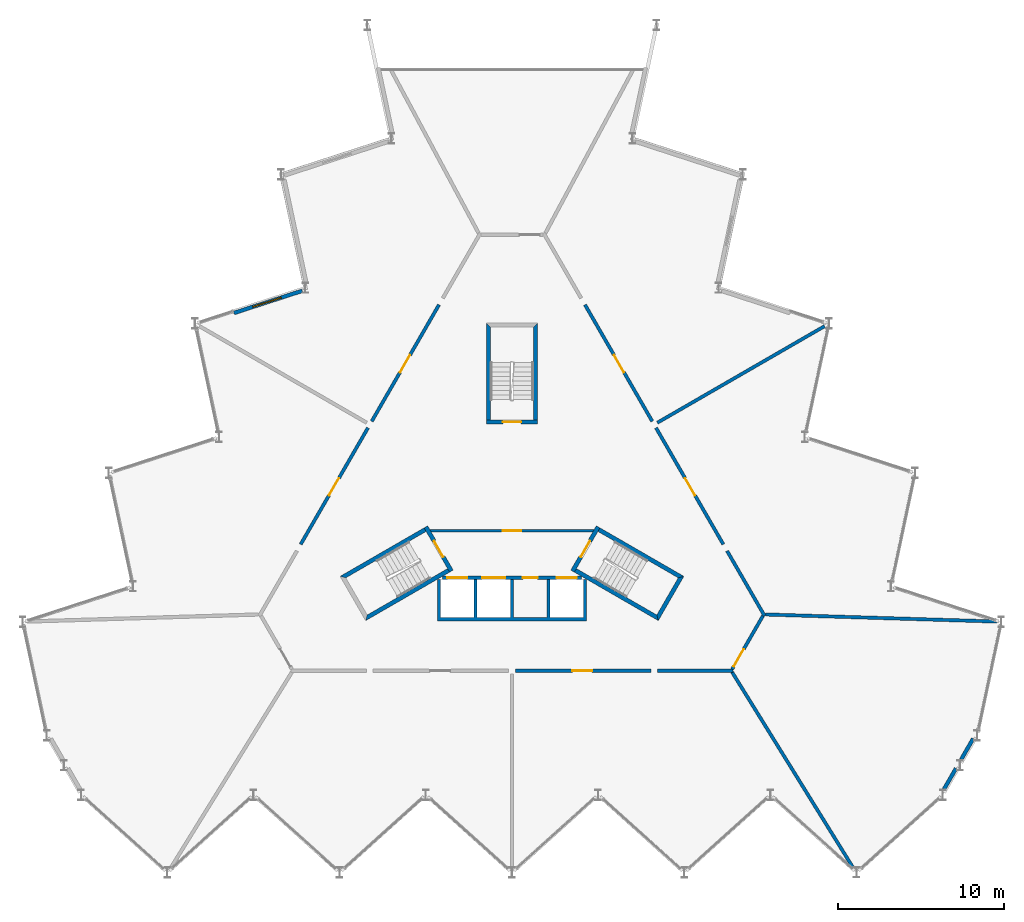
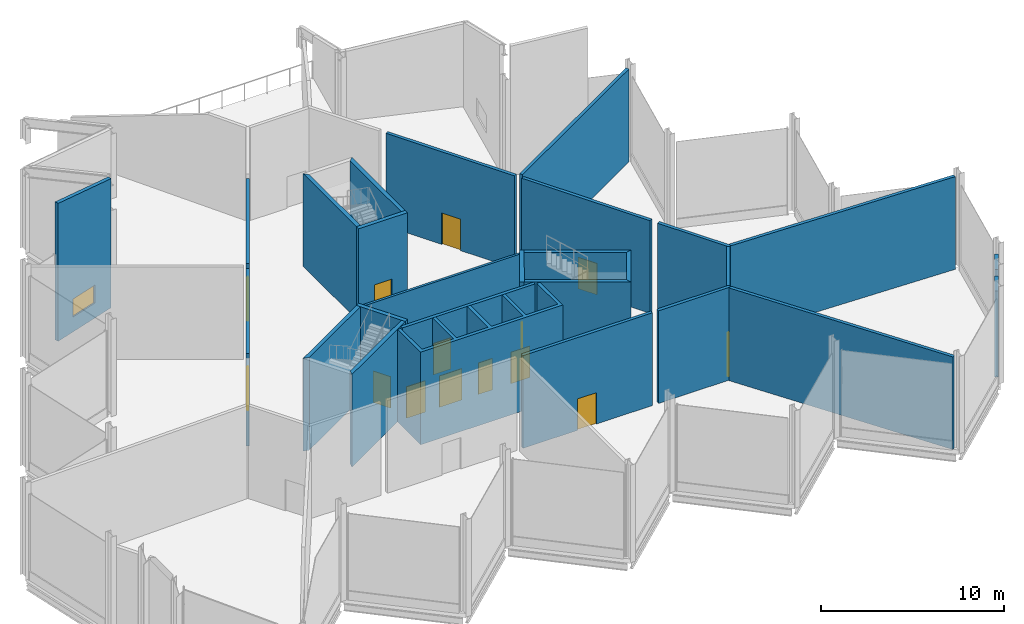
# One storey, part 10 of 12: 27 walls, 14 doors, 1 window, 15 openings.
"""IFC4 building model written with IfcOpenShell, lengths in metres."""

import ifcopenshell
import ifcopenshell.guid

model = None  # the IFC model being written
_history = None  # IfcOwnerHistory: only IFC2X3 demands one
_inside = {}  # id of a spatial element -> (the spatial element, [elements in it])
_under = {}  # id of a project, library or spatial element -> (it, [spatial elements below it])
_declared = {}  # id of a project -> (the project, [libraries it declares])
_typed = {}  # id of a type object -> (the type object, [elements of that type])
_made_of = {}  # id of a material, layer set ... -> (it, [elements and type objects made of it])


def new_model(schema):
    """Start an empty IFC model of exactly this schema.

    Asked for "IFC4X3", IfcOpenShell would pick the latest addendum, in which some entities
    have other attributes; the version numbers below select the first issue.
    IFC2X3 requires an IfcOwnerHistory on every rooted entity: one is made here for all.
    """
    global model, _history
    if schema == "IFC4X3":
        model = ifcopenshell.file(schema_version=(4, 3, 0, 0))
    else:
        model = ifcopenshell.file(schema=schema)
    _inside.clear()
    _under.clear()
    _declared.clear()
    _typed.clear()
    _made_of.clear()
    _history = None
    if model.schema == "IFC2X3":
        org = make("IfcOrganization", Name="unknown")
        user = make(
            "IfcPersonAndOrganization",
            ThePerson=make("IfcPerson", FamilyName="unknown"),
            TheOrganization=org,
        )
        app = make(
            "IfcApplication",
            ApplicationDeveloper=org,
            Version="unknown",
            ApplicationFullName="unknown",
            ApplicationIdentifier="unknown",
        )
        _history = make(
            "IfcOwnerHistory",
            OwningUser=user,
            OwningApplication=app,
            ChangeAction="ADDED",
            CreationDate=0,
        )
    return model


def make(cls, **values):
    """One entity of the class cls with the attributes given. An attribute that is None is left unset."""
    return model.create_entity(
        cls, **{name: value for name, value in values.items() if value is not None}
    )


def rooted(cls, **values):
    """An entity with a GlobalId (a new one), such as an element, a storey or a relation."""
    return make(cls, GlobalId=ifcopenshell.guid.new(), OwnerHistory=_history, **values)


def si_unit(unit_type, name, prefix=None):
    """IfcSIUnit, for example si_unit("LENGTHUNIT", "METRE", prefix="MILLI")."""
    return make("IfcSIUnit", UnitType=unit_type, Prefix=prefix, Name=name)


def assignment(units):
    """IfcUnitAssignment: the units of a project."""
    return None if units is None else make("IfcUnitAssignment", Units=units)


def point(xyz):
    """IfcCartesianPoint."""
    return None if xyz is None else make("IfcCartesianPoint", Coordinates=xyz)


def direction(xyz):
    """IfcDirection."""
    return None if xyz is None else make("IfcDirection", DirectionRatios=xyz)


def frame(location, z_axis=None, x_axis=None):
    """IfcAxis2Placement3D, a coordinate frame: its origin and axes. An axis left out is left unset."""
    return make(
        "IfcAxis2Placement3D",
        Location=point(location),
        Axis=direction(z_axis),
        RefDirection=direction(x_axis),
    )


def frame_2d(location, x_axis=None):
    """IfcAxis2Placement2D, a coordinate frame in the plane: its origin and x axis."""
    return make(
        "IfcAxis2Placement2D", Location=point(location), RefDirection=direction(x_axis)
    )


def origin():
    """The frame at (0, 0, 0) with its axes left unset."""
    return frame((0.0, 0.0, 0.0))


def place(relative_to, where):
    """IfcLocalPlacement: puts the frame where relative to a parent placement (None: the world)."""
    return make(
        "IfcLocalPlacement", PlacementRelTo=relative_to, RelativePlacement=where
    )


def context(
    kind, dimensions, precision=None, world=None, true_north=None, identifier=None
):
    """IfcGeometricRepresentationContext, for example the 3D "Model" context."""
    return make(
        "IfcGeometricRepresentationContext",
        ContextIdentifier=identifier,
        ContextType=kind,
        CoordinateSpaceDimension=dimensions,
        Precision=precision,
        WorldCoordinateSystem=world,
        TrueNorth=true_north,
    )


def subcontext(parent, identifier, kind, view, scale=None):
    """IfcGeometricRepresentationSubContext, for example "Body" below "Model"."""
    return make(
        "IfcGeometricRepresentationSubContext",
        ContextIdentifier=identifier,
        ContextType=kind,
        ParentContext=parent,
        TargetScale=scale,
        TargetView=view,
    )


def project(units=None, contexts=None):
    """IfcProject with its units and contexts."""
    return rooted(
        "IfcProject",
        Name="project",
        RepresentationContexts=contexts,
        UnitsInContext=assignment(units),
    )


def spatial(cls, under=None, at=None, **own):
    """A site, building, storey or space (cls), placed at a placement, below another one or the project."""
    s = rooted(cls, ObjectPlacement=at, **own)
    if under is not None:
        _under.setdefault(under.id(), (under, []))[1].append(s)
    return s


def polyline(points):
    """IfcPolyline through the points."""
    return make("IfcPolyline", Points=[point(p) for p in points])


def profile(cls, at=None, kind="AREA", **sizes):
    """A parametric profile (cls). Its sizes go by their IFC names, for example OverallWidth=200.0."""
    return make(cls, ProfileType=kind, Position=at, **sizes)


def rectangle(**sizes):
    """IfcRectangleProfileDef."""
    return profile("IfcRectangleProfileDef", **sizes)


def outline(outer, holes=None, kind="AREA"):
    """IfcArbitraryClosedProfileDef: a profile drawn as a closed curve; with holes, ...WithVoids."""
    if holes is None:
        return make("IfcArbitraryClosedProfileDef", ProfileType=kind, OuterCurve=outer)
    return make(
        "IfcArbitraryProfileDefWithVoids",
        ProfileType=kind,
        OuterCurve=outer,
        InnerCurves=holes,
    )


def extrude(swept, where, along, depth):
    """IfcExtrudedAreaSolid: the profile swept, set in the frame where, extruded along a direction by depth."""
    return make(
        "IfcExtrudedAreaSolid",
        SweptArea=swept,
        Position=where,
        ExtrudedDirection=direction(along),
        Depth=depth,
    )


def shape(context_of_items, identifier, shape_type, items):
    """IfcShapeRepresentation: the items that make up one representation, for example the "Body"."""
    return make(
        "IfcShapeRepresentation",
        ContextOfItems=context_of_items,
        RepresentationIdentifier=identifier,
        RepresentationType=shape_type,
        Items=items,
    )


def material(Name=None, Category=None):
    """IfcMaterial."""
    return make("IfcMaterial", Name=Name, Category=Category)


def layer(
    of_material, thickness, ventilated=None, Name=None, Category=None, Priority=None
):
    """IfcMaterialLayer: one layer of a wall or slab, of a material (None: an air gap)."""
    return make(
        "IfcMaterialLayer",
        Material=of_material,
        LayerThickness=thickness,
        IsVentilated=ventilated,
        Name=Name,
        Category=Category,
        Priority=Priority,
    )


def layer_set(layers, Name=None):
    """IfcMaterialLayerSet."""
    return make("IfcMaterialLayerSet", MaterialLayers=layers, LayerSetName=Name)


def made_of(thing, what):
    """Note that an element or type object is made of a material, layer set ...; save() writes the relation."""
    if what is not None:
        _made_of.setdefault(what.id(), (what, []))[1].append(thing)
    return thing


def type_object(cls, material=None, **own):
    """A type object (cls), such as IfcWallType, which elements share."""
    return made_of(rooted(cls, **own), material)


def element(
    cls,
    number,
    at=None,
    inside=None,
    cuts=None,
    type_object=None,
    material=None,
    context=None,
    identifier="Body",
    shape_type=None,
    held_by="IfcProductDefinitionShape",
    body=None,
    shapes=None,
    **own,
):
    """One element of the class cls, such as IfcWall. Its Tag is "e" and its number.

    at: its placement. inside: the storey or other place that contains it. cuts: it is an
    opening in that element (IfcRelVoidsElement). A single representation is given by context,
    identifier, shape_type and body (its items); several are given by shapes. held_by: the class
    of the entity that holds the representations. save() writes the other relations.
    """
    e = rooted(cls, Tag="e%d" % number, ObjectPlacement=at, **own)
    if body is not None:
        shapes = [shape(context, identifier, shape_type, body)]
    if shapes is not None:
        e.Representation = make(held_by, Representations=shapes)
    if inside is not None:
        _inside.setdefault(inside.id(), (inside, []))[1].append(e)
    if cuts is not None:
        rooted(
            "IfcRelVoidsElement", RelatingBuildingElement=cuts, RelatedOpeningElement=e
        )
    if type_object is not None:
        _typed.setdefault(type_object.id(), (type_object, []))[1].append(e)
    return made_of(e, material)


def fill(opening, filler):
    """IfcRelFillsElement: the door or window that sits in an opening."""
    return rooted(
        "IfcRelFillsElement",
        RelatingOpeningElement=opening,
        RelatedBuildingElement=filler,
    )


def aggregate(whole, parts):
    """IfcRelAggregates: a whole, such as a stair, and the parts it consists of."""
    return rooted("IfcRelAggregates", RelatingObject=whole, RelatedObjects=parts)


def save(model, path):
    """Write the relations noted so far, then the file.

    IfcRelAggregates (storeys below a building ...), IfcRelContainedInSpatialStructure (elements
    in a storey), IfcRelDefinesByType, IfcRelAssociatesMaterial and IfcRelDeclares: one each for
    every whole, place, type object, material and project.
    """
    for whole, parts in _under.values():
        aggregate(whole, parts)
    for where, things in _inside.values():
        rooted(
            "IfcRelContainedInSpatialStructure",
            RelatedElements=things,
            RelatingStructure=where,
        )
    for kind, things in _typed.values():
        rooted("IfcRelDefinesByType", RelatedObjects=things, RelatingType=kind)
    for what, things in _made_of.values():
        rooted("IfcRelAssociatesMaterial", RelatedObjects=things, RelatingMaterial=what)
    for by, libraries in _declared.values():
        rooted("IfcRelDeclares", RelatingContext=by, RelatedDefinitions=libraries)
    model.write(path)


model = new_model("IFC4")

# Units and contexts
model_context = context("Model", 3, precision=1e-05, world=origin(), true_north=direction((0.0, 1.0)))
body_context = subcontext(model_context, "Body", "Model", "MODEL_VIEW")
ifc_project = project(units=[si_unit("LENGTHUNIT", "METRE"), si_unit("AREAUNIT", "SQUARE_METRE"), si_unit("VOLUMEUNIT", "CUBIC_METRE"), si_unit("PLANEANGLEUNIT", "RADIAN"), si_unit("MASSUNIT", "GRAM", prefix="KILO")], contexts=[model_context])

# Site, building, storey
site_placement = place(None, origin())
site = spatial("IfcSite", under=ifc_project, at=site_placement, CompositionType="ELEMENT")
building_placement = place(site_placement, origin())
building = spatial("IfcBuilding", under=site, at=building_placement, Name="Cormorant Prow Tower", CompositionType="ELEMENT")
storey_placement = place(building_placement, frame((0.0, 0.0, 434.699951171875)))
storey = spatial("IfcBuildingStorey", under=building, at=storey_placement, Name="L97", CompositionType="ELEMENT", Elevation=434.699951171875)

# Wall, opening, door
ifc_material_1 = material(Name="Gypsum board partition")
ifc_layer_1 = layer(ifc_material_1, 0.14990234375)
ifc_layer_set_1 = layer_set([ifc_layer_1], Name="Gypsum board partition")
wall_type_1 = type_object("IfcWallType", Name="Core partition 150", PredefinedType="PARTITIONING", material=ifc_layer_set_1)
wall_1_placement = place(storey_placement, frame((-4.941162109375, -1.449951171875, 0.0), z_axis=(0.0, 0.0, 1.0), x_axis=(1.0, 0.0, 0.0)))
wall_1 = element("IfcWall", 1, at=wall_1_placement, inside=storey, type_object=wall_type_1, Name="Firefighting lobby partition", PredefinedType="PARTITIONING", context=body_context, shape_type="SweptSolid", body=[
    extrude(rectangle(XDim=9.88232421875, YDim=0.14990234375, at=frame_2d((4.941162109375, 0.0))), origin(), (0.0, 0.0, 1.0), 6.199951171875),
])
opening_1_placement = place(wall_1_placement, frame((4.39111328125, 0.0, 0.0)))
opening_1 = element("IfcOpeningElement", 2, at=opening_1_placement, cuts=wall_1, Name="Opening L97-C05", PredefinedType="OPENING", context=body_context, shape_type="SweptSolid", body=[
    extrude(rectangle(XDim=1.10009765625, YDim=2.10009765625, at=frame_2d((0.550048828125, 1.050048828125))), frame((0.0, 0.0849609375, 0.0), z_axis=(0.0, -1.0, 0.0), x_axis=(1.0, 0.0, 0.0)), (0.0, 0.0, 1.0), 0.169921875),
])
ifc_material_2 = material(Name="Painted steel", Category="steel")
door_type_1 = type_object("IfcDoorType", Name="Firefighting lobby door 1100x2100", OperationType="NOTDEFINED", PredefinedType="DOOR", material=ifc_material_2)
door_1_placement = place(opening_1_placement, origin())
door_1 = element("IfcDoor", 3, at=door_1_placement, inside=storey, type_object=door_type_1, Name="Firefighting lobby door", OperationType="SINGLE_SWING_RIGHT", OverallHeight=2.10009765625, OverallWidth=1.10009765625, PredefinedType="DOOR", context=body_context, shape_type="SweptSolid", body=[
    extrude(rectangle(XDim=1.10009765625, YDim=2.10009765625, at=frame_2d((0.550048828125, 1.050048828125))), frame((0.0, 0.02490234375, 0.0), z_axis=(0.0, -1.0, 0.0), x_axis=(1.0, 0.0, 0.0)), (0.0, 0.0, 1.0), 0.050048828125),
])
fill(opening_1, door_1)

ifc_material_3 = material(Name="Gypsum board corridor wall")
ifc_layer_2 = layer(ifc_material_3, 0.199951171875)
ifc_layer_set_2 = layer_set([ifc_layer_2], Name="Gypsum board corridor wall")
wall_type_2 = type_object("IfcWallType", Name="Corridor wall 200", PredefinedType="PARTITIONING", material=ifc_layer_set_2)
wall_2_placement = place(storey_placement, frame((0.197021484375, -9.905517578125, 0.0), z_axis=(0.0, 0.0, 1.0), x_axis=(1.0, 0.0, 0.0)))
wall_2 = element("IfcWall", 4, at=wall_2_placement, inside=storey, type_object=wall_type_2, Name="Corridor wall", PredefinedType="PARTITIONING", context=body_context, shape_type="SweptSolid", body=[
    extrude(rectangle(XDim=8.1845703125, YDim=0.199951171875, at=frame_2d((4.09228515625, 0.0))), origin(), (0.0, 0.0, 1.0), 6.199951171875),
])
opening_2_placement = place(wall_2_placement, frame((3.441650390625, 0.0, 0.0)))
opening_2 = element("IfcOpeningElement", 5, at=opening_2_placement, cuts=wall_2, Name="Opening L97-F04", PredefinedType="OPENING", context=body_context, shape_type="SweptSolid", body=[
    extrude(rectangle(XDim=1.199951171875, YDim=2.10009765625, at=frame_2d((0.60009765625, 1.050048828125))), frame((0.0, 0.10986328125, 0.0), z_axis=(0.0, -1.0, 0.0), x_axis=(1.0, 0.0, 0.0)), (0.0, 0.0, 1.0), 0.219970703125),
])
ifc_material_4 = material(Name="Timber door leaf", Category="wood")
door_type_2 = type_object("IfcDoorType", Name="Plant room door 1200x2100", OperationType="NOTDEFINED", PredefinedType="DOOR", material=ifc_material_4)
door_2_placement = place(opening_2_placement, origin())
door_2 = element("IfcDoor", 6, at=door_2_placement, inside=storey, type_object=door_type_2, Name="Electrical switch room door", OperationType="SINGLE_SWING_RIGHT", OverallHeight=2.10009765625, OverallWidth=1.199951171875, PredefinedType="DOOR", context=body_context, shape_type="SweptSolid", body=[
    extrude(rectangle(XDim=1.199951171875, YDim=2.10009765625, at=frame_2d((0.60009765625, 1.050048828125))), frame((0.0, 0.02490234375, 0.0), z_axis=(0.0, -1.0, 0.0), x_axis=(1.0, 0.0, 0.0)), (0.0, 0.0, 1.0), 0.050048828125),
])
fill(opening_2, door_2)

wall_3_placement = place(storey_placement, frame((-8.464599609375, 5.14990234375, 0.0), z_axis=(0.0, 0.0, 1.0), x_axis=(0.499992155518, 0.866029932751, 0.0)))
wall_3 = element("IfcWall", 7, at=wall_3_placement, inside=storey, type_object=wall_type_2, Name="Corridor wall", PredefinedType="PARTITIONING", context=body_context, shape_type="SweptSolid", body=[
    extrude(rectangle(XDim=8.123291015625, YDim=0.199951171875, at=frame_2d((4.0615234375, 0.0))), origin(), (0.0, 0.0, 1.0), 6.199951171875),
])
opening_3_placement = place(wall_3_placement, frame((3.41162109375, 0.0, 0.0)))
opening_3 = element("IfcOpeningElement", 8, at=opening_3_placement, cuts=wall_3, Name="Opening L97-F07", PredefinedType="OPENING", context=body_context, shape_type="SweptSolid", body=[
    extrude(rectangle(XDim=1.199951171875, YDim=2.10009765625, at=frame_2d((0.60009765625, 1.050048828125))), frame((0.0, 0.10986328125, 0.0), z_axis=(0.0, -1.0, 0.0), x_axis=(1.0, 0.0, 0.0)), (0.0, 0.0, 1.0), 0.219970703125),
])
door_3_placement = place(opening_3_placement, origin())
door_3 = element("IfcDoor", 9, at=door_3_placement, inside=storey, type_object=door_type_2, Name="Lift machine room door", OperationType="SINGLE_SWING_RIGHT", OverallHeight=2.10009765625, OverallWidth=1.199951171875, PredefinedType="DOOR", context=body_context, shape_type="SweptSolid", body=[
    extrude(rectangle(XDim=1.199951171875, YDim=2.10009765625, at=frame_2d((0.60009765625, 1.050048828125))), frame((0.0, 0.02490234375, 0.0), z_axis=(0.0, -1.0, 0.0), x_axis=(1.0, 0.0, 0.0)), (0.0, 0.0, 1.0), 0.050048828125),
])
fill(opening_3, door_3)

wall_4_placement = place(storey_placement, frame((4.403076171875, 12.184814453125, 0.0), z_axis=(0.0, 0.0, 1.0), x_axis=(0.499992155518, -0.866029932751, 0.0)))
wall_4 = element("IfcWall", 10, at=wall_4_placement, inside=storey, type_object=wall_type_2, Name="Corridor wall", PredefinedType="PARTITIONING", context=body_context, shape_type="SweptSolid", body=[
    extrude(rectangle(XDim=8.123291015625, YDim=0.199951171875, at=frame_2d((4.0615234375, 0.0))), origin(), (0.0, 0.0, 1.0), 6.199951171875),
])
opening_4_placement = place(wall_4_placement, frame((3.511962890625, 0.0, 0.0)))
opening_4 = element("IfcOpeningElement", 11, at=opening_4_placement, cuts=wall_4, Name="Opening L97-F08", PredefinedType="OPENING", context=body_context, shape_type="SweptSolid", body=[
    extrude(rectangle(XDim=1.199951171875, YDim=2.10009765625, at=frame_2d((0.60009765625, 1.050048828125))), frame((0.0, 0.10986328125, 0.0), z_axis=(0.0, -1.0, 0.0), x_axis=(1.0, 0.0, 0.0)), (0.0, 0.0, 1.0), 0.219970703125),
])
door_4_placement = place(opening_4_placement, origin())
door_4 = element("IfcDoor", 12, at=door_4_placement, inside=storey, type_object=door_type_2, Name="Water tank room door", OperationType="SINGLE_SWING_LEFT", OverallHeight=2.10009765625, OverallWidth=1.199951171875, PredefinedType="DOOR", context=body_context, shape_type="SweptSolid", body=[
    extrude(rectangle(XDim=1.199951171875, YDim=2.10009765625, at=frame_2d((0.60009765625, 1.050048828125))), frame((0.0, 0.02490234375, 0.0), z_axis=(0.0, -1.0, 0.0), x_axis=(1.0, 0.0, 0.0)), (0.0, 0.0, 1.0), 0.050048828125),
])
fill(opening_4, door_4)

wall_5_placement = place(storey_placement, frame((-12.75390625, -2.279296875, 0.0), z_axis=(0.0, 0.0, 1.0), x_axis=(0.500001682468, 0.866024432409, 0.0)))
wall_5 = element("IfcWall", 13, at=wall_5_placement, inside=storey, type_object=wall_type_2, Name="Corridor wall", PredefinedType="PARTITIONING", context=body_context, shape_type="SweptSolid", body=[
    extrude(rectangle(XDim=8.12353515625, YDim=0.199951171875, at=frame_2d((4.061767578125, 0.0))), origin(), (0.0, 0.0, 1.0), 6.199951171875),
])
opening_5_placement = place(wall_5_placement, frame((3.41162109375, 0.0, 0.0)))
opening_5 = element("IfcOpeningElement", 14, at=opening_5_placement, cuts=wall_5, Name="Opening L97-F05", PredefinedType="OPENING", context=body_context, shape_type="SweptSolid", body=[
    extrude(rectangle(XDim=1.199951171875, YDim=2.10009765625, at=frame_2d((0.60009765625, 1.050048828125))), frame((0.0, 0.10986328125, 0.0), z_axis=(0.0, -1.0, 0.0), x_axis=(1.0, 0.0, 0.0)), (0.0, 0.0, 1.0), 0.219970703125),
])
door_5_placement = place(opening_5_placement, origin())
door_5 = element("IfcDoor", 15, at=door_5_placement, inside=storey, type_object=door_type_2, Name="Air handling plant room door", OperationType="SINGLE_SWING_RIGHT", OverallHeight=2.10009765625, OverallWidth=1.199951171875, PredefinedType="DOOR", context=body_context, shape_type="SweptSolid", body=[
    extrude(rectangle(XDim=1.199951171875, YDim=2.10009765625, at=frame_2d((0.60009765625, 1.050048828125))), frame((0.0, 0.02490234375, 0.0), z_axis=(0.0, -1.0, 0.0), x_axis=(1.0, 0.0, 0.0)), (0.0, 0.0, 1.0), 0.050048828125),
])
fill(opening_5, door_5)

wall_6_placement = place(storey_placement, frame((8.692138671875, 4.755859375, 0.0), z_axis=(0.0, 0.0, 1.0), x_axis=(0.500001682468, -0.866024432409, 0.0)))
wall_6 = element("IfcWall", 16, at=wall_6_placement, inside=storey, type_object=wall_type_2, Name="Corridor wall", PredefinedType="PARTITIONING", context=body_context, shape_type="SweptSolid", body=[
    extrude(rectangle(XDim=8.12353515625, YDim=0.199951171875, at=frame_2d((4.061767578125, 0.0))), origin(), (0.0, 0.0, 1.0), 6.199951171875),
])
opening_6_placement = place(wall_6_placement, frame((3.511962890625, 0.0, 0.0)))
opening_6 = element("IfcOpeningElement", 17, at=opening_6_placement, cuts=wall_6, Name="Opening L97-F06", PredefinedType="OPENING", context=body_context, shape_type="SweptSolid", body=[
    extrude(rectangle(XDim=1.199951171875, YDim=2.10009765625, at=frame_2d((0.60009765625, 1.050048828125))), frame((0.0, 0.10986328125, 0.0), z_axis=(0.0, -1.0, 0.0), x_axis=(1.0, 0.0, 0.0)), (0.0, 0.0, 1.0), 0.219970703125),
])
door_6_placement = place(opening_6_placement, origin())
door_6 = element("IfcDoor", 18, at=door_6_placement, inside=storey, type_object=door_type_2, Name="Damper plant room door", OperationType="SINGLE_SWING_RIGHT", OverallHeight=2.10009765625, OverallWidth=1.199951171875, PredefinedType="DOOR", context=body_context, shape_type="SweptSolid", body=[
    extrude(rectangle(XDim=1.199951171875, YDim=2.10009765625, at=frame_2d((0.60009765625, 1.050048828125))), frame((0.0, 0.02490234375, 0.0), z_axis=(0.0, -1.0, 0.0), x_axis=(1.0, 0.0, 0.0)), (0.0, 0.0, 1.0), 0.050048828125),
])
fill(opening_6, door_6)

# Walls
wall_7_placement = place(storey_placement, frame((8.775390625, -9.905517578125, 0.0), z_axis=(0.0, 0.0, 1.0), x_axis=(1.0, 0.0, 0.0)))
element("IfcWall", 19, at=wall_7_placement, inside=storey, type_object=wall_type_2, Name="Corridor wall", PredefinedType="PARTITIONING", context=body_context, shape_type="SweptSolid", body=[
    extrude(rectangle(XDim=4.555419921875, YDim=0.199951171875, at=frame_2d((2.27783203125, 0.0))), origin(), (0.0, 0.0, 1.0), 6.199951171875),
])
wall_8_placement = place(storey_placement, frame((12.9814453125, -2.67333984375, 0.0), z_axis=(0.0, 0.0, 1.0), x_axis=(0.499974648164, -0.866040040179, 0.0)))
element("IfcWall", 20, at=wall_8_placement, inside=storey, type_object=wall_type_2, Name="Corridor wall", PredefinedType="PARTITIONING", context=body_context, shape_type="SweptSolid", body=[
    extrude(rectangle(XDim=4.525146484375, YDim=0.199951171875, at=frame_2d((2.2626953125, 0.0))), origin(), (0.0, 0.0, 1.0), 6.199951171875),
])

# Wall, opening, door
wall_9_placement = place(storey_placement, frame((13.281005859375, -9.819091796875, 0.0), z_axis=(0.0, 0.0, 1.0), x_axis=(0.499958791762, 0.866049194065, 0.0)))
wall_9 = element("IfcWall", 21, at=wall_9_placement, inside=storey, type_object=wall_type_2, Name="Corridor wall", PredefinedType="PARTITIONING", context=body_context, shape_type="SweptSolid", body=[
    extrude(rectangle(XDim=3.725830078125, YDim=0.199951171875, at=frame_2d((1.86279296875, 0.0))), origin(), (0.0, 0.0, 1.0), 6.199951171875),
])
opening_7_placement = place(wall_9_placement, frame((0.201171875, 0.0, 0.0)))
opening_7 = element("IfcOpeningElement", 22, at=opening_7_placement, cuts=wall_9, Name="Opening L97-F02", PredefinedType="OPENING", context=body_context, shape_type="SweptSolid", body=[
    extrude(rectangle(XDim=1.199951171875, YDim=2.10009765625, at=frame_2d((0.60009765625, 1.050048828125))), frame((0.0, 0.10986328125, 0.0), z_axis=(0.0, -1.0, 0.0), x_axis=(1.0, 0.0, 0.0)), (0.0, 0.0, 1.0), 0.219970703125),
])
door_7_placement = place(opening_7_placement, origin())
door_7 = element("IfcDoor", 23, at=door_7_placement, inside=storey, type_object=door_type_2, Name="Lift machine room door", OperationType="SINGLE_SWING_LEFT", OverallHeight=2.10009765625, OverallWidth=1.199951171875, PredefinedType="DOOR", context=body_context, shape_type="SweptSolid", body=[
    extrude(rectangle(XDim=1.199951171875, YDim=2.10009765625, at=frame_2d((0.60009765625, 1.050048828125))), frame((0.0, 0.02490234375, 0.0), z_axis=(0.0, -1.0, 0.0), x_axis=(1.0, 0.0, 0.0)), (0.0, 0.0, 1.0), 0.050048828125),
])
fill(opening_7, door_7)

# Walls
ifc_material_5 = material(Name="Gypsum board demising wall")
ifc_layer_3 = layer(ifc_material_5, 0.199951171875)
ifc_layer_set_3 = layer_set([ifc_layer_3], Name="Gypsum board demising wall")
wall_type_3 = type_object("IfcWallType", Name="Demising wall 200", PredefinedType="PARTITIONING", material=ifc_layer_set_3)
wall_10_placement = place(storey_placement, frame((15.293701171875, -6.508544921875, 0.0), z_axis=(0.0, 0.0, 1.0), x_axis=(0.999534583604, -0.030506002359, 0.0)))
element("IfcWall", 24, at=wall_10_placement, inside=storey, type_object=wall_type_3, Name="Demising wall", PredefinedType="PARTITIONING", context=body_context, shape_type="SweptSolid", body=[
    extrude(rectangle(XDim=13.973388671875, YDim=0.199951171875, at=frame_2d((6.98681640625, 0.0))), origin(), (0.0, 0.0, 1.0), 6.199951171875),
])
wall_11_placement = place(storey_placement, frame((13.283447265625, -9.990478515625, 0.0), z_axis=(0.0, 0.0, 1.0), x_axis=(0.526187960676, -0.850368290825, 0.0)))
element("IfcWall", 25, at=wall_11_placement, inside=storey, type_object=wall_type_3, Name="Demising wall", PredefinedType="PARTITIONING", context=body_context, shape_type="SweptSolid", body=[
    extrude(rectangle(XDim=13.92041015625, YDim=0.199951171875, at=frame_2d((6.960205078125, 0.0))), origin(), (0.0, 0.0, 1.0), 6.199951171875),
])
wall_12_placement = place(storey_placement, frame((8.775390625, 5.06640625, 0.0), z_axis=(0.0, 0.0, 1.0), x_axis=(0.866023724155, 0.500002909193, 0.0)))
element("IfcWall", 26, at=wall_12_placement, inside=storey, type_object=wall_type_3, Name="Demising wall", PredefinedType="PARTITIONING", context=body_context, shape_type="SweptSolid", body=[
    extrude(rectangle(XDim=11.65478515625, YDim=0.199951171875, at=frame_2d((5.827392578125, 0.0))), origin(), (0.0, 0.0, 1.0), 6.199951171875),
])

# Wall, openings, doors
ifc_material_6 = material(Name="Concrete 5000 psi", Category="concrete")
ifc_layer_4 = layer(ifc_material_6, 0.199951171875)
ifc_layer_set_4 = layer_set([ifc_layer_4], Name="Concrete 5000 psi")
wall_type_4 = type_object("IfcWallType", Name="Lift lobby wall 200", PredefinedType="SOLIDWALL", material=ifc_layer_set_4)
wall_13_placement = place(storey_placement, frame((-4.1865234375, -4.300048828125, 0.0), z_axis=(0.0, 0.0, 1.0), x_axis=(1.0, 0.0, 0.0)))
wall_13 = element("IfcWall", 27, at=wall_13_placement, inside=storey, type_object=wall_type_4, Name="Lift lobby wall, S block", PredefinedType="SOLIDWALL", context=body_context, shape_type="SweptSolid", body=[
    extrude(rectangle(XDim=8.373046875, YDim=0.199951171875, at=frame_2d((4.1865234375, 0.0))), origin(), (0.0, 0.0, 1.0), 6.199951171875),
])
opening_8_placement = place(wall_13_placement, frame((0.28662109375, 0.0, 0.0)))
opening_8 = element("IfcOpeningElement", 28, at=opening_8_placement, cuts=wall_13, Name="Opening L97-C01", PredefinedType="OPENING", context=body_context, shape_type="SweptSolid", body=[
    extrude(rectangle(XDim=1.199951171875, YDim=2.10009765625, at=frame_2d((0.60009765625, 1.050048828125))), frame((0.0, 0.10986328125, 0.0), z_axis=(0.0, -1.0, 0.0), x_axis=(1.0, 0.0, 0.0)), (0.0, 0.0, 1.0), 0.219970703125),
])
opening_9_placement = place(wall_13_placement, frame((2.38671875, 0.0, 0.0)))
opening_9 = element("IfcOpeningElement", 29, at=opening_9_placement, cuts=wall_13, Name="Opening L97-C02", PredefinedType="OPENING", context=body_context, shape_type="SweptSolid", body=[
    extrude(rectangle(XDim=1.39990234375, YDim=2.10009765625, at=frame_2d((0.699951171875, 1.050048828125))), frame((0.0, 0.10986328125, 0.0), z_axis=(0.0, -1.0, 0.0), x_axis=(1.0, 0.0, 0.0)), (0.0, 0.0, 1.0), 0.219970703125),
])
opening_10_placement = place(wall_13_placement, frame((4.836669921875, 0.0, 0.0)))
opening_10 = element("IfcOpeningElement", 30, at=opening_10_placement, cuts=wall_13, Name="Opening L97-C03", PredefinedType="OPENING", context=body_context, shape_type="SweptSolid", body=[
    extrude(rectangle(XDim=0.89990234375, YDim=2.10009765625, at=frame_2d((0.449951171875, 1.050048828125))), frame((0.0, 0.10986328125, 0.0), z_axis=(0.0, -1.0, 0.0), x_axis=(1.0, 0.0, 0.0)), (0.0, 0.0, 1.0), 0.219970703125),
])
opening_11_placement = place(wall_13_placement, frame((6.88671875, 0.0, 0.0)))
opening_11 = element("IfcOpeningElement", 31, at=opening_11_placement, cuts=wall_13, Name="Opening L97-C04", PredefinedType="OPENING", context=body_context, shape_type="SweptSolid", body=[
    extrude(rectangle(XDim=1.199951171875, YDim=2.10009765625, at=frame_2d((0.60009765625, 1.050048828125))), frame((0.0, 0.10986328125, 0.0), z_axis=(0.0, -1.0, 0.0), x_axis=(1.0, 0.0, 0.0)), (0.0, 0.0, 1.0), 0.219970703125),
])
ifc_material_7 = material(Name="Painted steel", Category="steel")
door_type_3 = type_object("IfcDoorType", Name="Firefighting lift landing door 1200x2100", OperationType="SLIDING_TO_LEFT", PredefinedType="DOOR", material=ifc_material_7)
door_8_placement = place(opening_8_placement, origin())
door_8 = element("IfcDoor", 32, at=door_8_placement, inside=storey, type_object=door_type_3, Name="Landing door FL1", OperationType="SLIDING_TO_LEFT", OverallHeight=2.10009765625, OverallWidth=1.199951171875, PredefinedType="DOOR", context=body_context, shape_type="SweptSolid", body=[
    extrude(rectangle(XDim=1.199951171875, YDim=2.10009765625, at=frame_2d((0.60009765625, 1.050048828125))), frame((0.0, 0.02490234375, 0.0), z_axis=(0.0, -1.0, 0.0), x_axis=(1.0, 0.0, 0.0)), (0.0, 0.0, 1.0), 0.050048828125),
])
fill(opening_8, door_8)
door_9_placement = place(opening_11_placement, origin())
door_9 = element("IfcDoor", 33, at=door_9_placement, inside=storey, type_object=door_type_3, Name="Landing door FL2", OperationType="SLIDING_TO_LEFT", OverallHeight=2.10009765625, OverallWidth=1.199951171875, PredefinedType="DOOR", context=body_context, shape_type="SweptSolid", body=[
    extrude(rectangle(XDim=1.199951171875, YDim=2.10009765625, at=frame_2d((0.60009765625, 1.050048828125))), frame((0.0, 0.02490234375, 0.0), z_axis=(0.0, -1.0, 0.0), x_axis=(1.0, 0.0, 0.0)), (0.0, 0.0, 1.0), 0.050048828125),
])
fill(opening_11, door_9)
ifc_material_8 = material(Name="Painted steel", Category="steel")
door_type_4 = type_object("IfcDoorType", Name="Service door 900x2100", OperationType="NOTDEFINED", PredefinedType="DOOR", material=ifc_material_8)
door_10_placement = place(opening_10_placement, origin())
door_10 = element("IfcDoor", 34, at=door_10_placement, inside=storey, type_object=door_type_4, Name="Service door, Electrical switch room", OperationType="SINGLE_SWING_LEFT", OverallHeight=2.10009765625, OverallWidth=0.89990234375, PredefinedType="DOOR", context=body_context, shape_type="SweptSolid", body=[
    extrude(rectangle(XDim=0.89990234375, YDim=2.10009765625, at=frame_2d((0.449951171875, 1.050048828125))), frame((0.0, 0.02490234375, 0.0), z_axis=(0.0, -1.0, 0.0), x_axis=(1.0, 0.0, 0.0)), (0.0, 0.0, 1.0), 0.050048828125),
])
fill(opening_10, door_10)
ifc_material_9 = material(Name="Painted steel", Category="steel")
door_type_5 = type_object("IfcDoorType", Name="Service lift landing door 1400x2100", OperationType="SLIDING_TO_LEFT", PredefinedType="DOOR", material=ifc_material_9)
door_11_placement = place(opening_9_placement, origin())
door_11 = element("IfcDoor", 35, at=door_11_placement, inside=storey, type_object=door_type_5, Name="Landing door SL1", OperationType="SLIDING_TO_LEFT", OverallHeight=2.10009765625, OverallWidth=1.39990234375, PredefinedType="DOOR", context=body_context, shape_type="SweptSolid", body=[
    extrude(rectangle(XDim=1.39990234375, YDim=2.10009765625, at=frame_2d((0.699951171875, 1.050048828125))), frame((0.0, 0.02490234375, 0.0), z_axis=(0.0, -1.0, 0.0), x_axis=(1.0, 0.0, 0.0)), (0.0, 0.0, 1.0), 0.050048828125),
])
fill(opening_9, door_11)

# Walls
ifc_material_10 = material(Name="Concrete 8000 psi", Category="concrete")
ifc_layer_5 = layer(ifc_material_10, 0.199951171875)
ifc_layer_set_5 = layer_set([ifc_layer_5], Name="Concrete 8000 psi")
wall_type_5 = type_object("IfcWallType", Name="Lift shaft wall 200", PredefinedType="SHEAR", material=ifc_layer_set_5)
wall_14_placement = place(storey_placement, origin())
element("IfcWall", 36, at=wall_14_placement, inside=storey, type_object=wall_type_5, Name="Lift shaft walls, S block", PredefinedType="SHEAR", context=body_context, shape_type="SweptSolid", body=[
    extrude(outline(polyline([(4.5, -4.39990234375), (4.5, -6.906005859375), (-4.5, -6.906005859375), (-4.5, -4.39990234375), (-4.300048828125, -4.39990234375), (-4.300048828125, -6.699951171875), (-2.300048828125, -6.699951171875), (-2.300048828125, -4.39990234375), (-2.10009765625, -4.39990234375), (-2.10009765625, -6.699951171875), (-0.10009765625, -6.699951171875), (-0.10009765625, -4.39990234375), (0.10009765625, -4.39990234375), (0.10009765625, -6.699951171875), (2.10009765625, -6.699951171875), (2.10009765625, -4.39990234375), (2.300048828125, -4.39990234375), (2.300048828125, -6.699951171875), (4.300048828125, -6.699951171875), (4.300048828125, -4.39990234375), (4.5, -4.39990234375)])), origin(), (0.0, 0.0, 1.0), 6.199951171875),
])
ifc_material_11 = material(Name="Concrete 8000 psi", Category="concrete")
ifc_layer_6 = layer(ifc_material_11, 0.25)
ifc_layer_set_6 = layer_set([ifc_layer_6], Name="Concrete 8000 psi")
wall_type_6 = type_object("IfcWallType", Name="Stair wall 250", PredefinedType="SHEAR", material=ifc_layer_set_6)
wall_15_placement = place(storey_placement, origin())
element("IfcWall", 37, at=wall_15_placement, inside=storey, type_object=wall_type_6, Name="Stair ST1 enclosure wall (flank)", PredefinedType="SHEAR", context=body_context, shape_type="SweptSolid", body=[
    extrude(outline(polyline([(-5.30712890625, -1.28125), (-10.37353515625, -4.206298828125), (-10.031982421875, -4.2978515625), (-5.18212890625, -1.497802734375), (-5.30712890625, -1.28125)])), origin(), (0.0, 0.0, 1.0), 6.199951171875),
])
wall_16_placement = place(storey_placement, origin())
element("IfcWall", 38, at=wall_16_placement, inside=storey, type_object=wall_type_6, Name="Stair ST1 enclosure wall (flank)", PredefinedType="SHEAR", context=body_context, shape_type="SweptSolid", body=[
    extrude(outline(polyline([(-8.738037109375, -6.5390625), (-8.82958984375, -6.880615234375), (-3.76318359375, -3.95556640625), (-3.88818359375, -3.739013671875), (-8.738037109375, -6.5390625)])), origin(), (0.0, 0.0, 1.0), 6.199951171875),
])

# Wall, opening, door
wall_17_placement = place(storey_placement, frame((-5.198974609375, -1.21875, 0.0), z_axis=(0.0, 0.0, 1.0), x_axis=(0.499982516597, -0.866035497597, 0.0)))
wall_17 = element("IfcWall", 39, at=wall_17_placement, inside=storey, type_object=wall_type_6, Name="Stair ST1 door wall", PredefinedType="SHEAR", context=body_context, shape_type="SweptSolid", body=[
    extrude(rectangle(XDim=3.087890625, YDim=0.25, at=frame_2d((1.5439453125, 0.0))), origin(), (0.0, 0.0, 1.0), 6.199951171875),
])
opening_12_placement = place(wall_17_placement, frame((0.993896484375, 0.0, 0.0)))
opening_12 = element("IfcOpeningElement", 40, at=opening_12_placement, cuts=wall_17, Name="Opening L97-C06", PredefinedType="OPENING", context=body_context, shape_type="SweptSolid", body=[
    extrude(rectangle(XDim=1.10009765625, YDim=2.10009765625, at=frame_2d((0.550048828125, 1.050048828125))), frame((0.0, 0.135009765625, 0.0), z_axis=(0.0, -1.0, 0.0), x_axis=(1.0, 0.0, 0.0)), (0.0, 0.0, 1.0), 0.27001953125),
])
ifc_material_12 = material(Name="Painted steel", Category="steel")
door_type_6 = type_object("IfcDoorType", Name="Stair door 1100x2100", OperationType="NOTDEFINED", PredefinedType="DOOR", material=ifc_material_12)
door_12_placement = place(opening_12_placement, origin())
door_12 = element("IfcDoor", 41, at=door_12_placement, inside=storey, type_object=door_type_6, Name="Stair ST1 door", OperationType="SINGLE_SWING_LEFT", OverallHeight=2.10009765625, OverallWidth=1.10009765625, PredefinedType="DOOR", context=body_context, shape_type="SweptSolid", body=[
    extrude(rectangle(XDim=1.10009765625, YDim=2.10009765625, at=frame_2d((0.550048828125, 1.050048828125))), frame((0.0, 0.02490234375, 0.0), z_axis=(0.0, -1.0, 0.0), x_axis=(1.0, 0.0, 0.0)), (0.0, 0.0, 1.0), 0.050048828125),
])
fill(opening_12, door_12)

# Walls
wall_18_placement = place(storey_placement, origin())
element("IfcWall", 42, at=wall_18_placement, inside=storey, type_object=wall_type_6, Name="Stair ST2 enclosure wall (flank)", PredefinedType="SHEAR", context=body_context, shape_type="SweptSolid", body=[
    extrude(outline(polyline([(3.76318359375, -3.95556640625), (8.82958984375, -6.880615234375), (8.738037109375, -6.5390625), (3.88818359375, -3.739013671875), (3.76318359375, -3.95556640625)])), origin(), (0.0, 0.0, 1.0), 6.199951171875),
])
wall_19_placement = place(storey_placement, origin())
element("IfcWall", 43, at=wall_19_placement, inside=storey, type_object=wall_type_6, Name="Stair ST2 enclosure wall (end)", PredefinedType="SHEAR", context=body_context, shape_type="SweptSolid", body=[
    extrude(outline(polyline([(8.82958984375, -6.880615234375), (10.37353515625, -4.206298828125), (10.031982421875, -4.2978515625), (8.738037109375, -6.5390625), (8.82958984375, -6.880615234375)])), origin(), (0.0, 0.0, 1.0), 6.199951171875),
])
wall_20_placement = place(storey_placement, origin())
element("IfcWall", 44, at=wall_20_placement, inside=storey, type_object=wall_type_6, Name="Stair ST2 enclosure wall (flank)", PredefinedType="SHEAR", context=body_context, shape_type="SweptSolid", body=[
    extrude(outline(polyline([(10.031982421875, -4.2978515625), (10.37353515625, -4.206298828125), (5.30712890625, -1.28125), (5.18212890625, -1.497802734375), (10.031982421875, -4.2978515625)])), origin(), (0.0, 0.0, 1.0), 6.199951171875),
])

# Wall, opening, door
wall_21_placement = place(storey_placement, frame((3.655029296875, -3.89306640625, 0.0), z_axis=(0.0, 0.0, 1.0), x_axis=(0.499982516597, 0.866035497597, 0.0)))
wall_21 = element("IfcWall", 45, at=wall_21_placement, inside=storey, type_object=wall_type_6, Name="Stair ST2 door wall", PredefinedType="SHEAR", context=body_context, shape_type="SweptSolid", body=[
    extrude(rectangle(XDim=3.087890625, YDim=0.25, at=frame_2d((1.5439453125, 0.0))), origin(), (0.0, 0.0, 1.0), 6.199951171875),
])
opening_13_placement = place(wall_21_placement, frame((0.993896484375, 0.0, 0.0)))
opening_13 = element("IfcOpeningElement", 46, at=opening_13_placement, cuts=wall_21, Name="Opening L97-C07", PredefinedType="OPENING", context=body_context, shape_type="SweptSolid", body=[
    extrude(rectangle(XDim=1.10009765625, YDim=2.10009765625, at=frame_2d((0.550048828125, 1.050048828125))), frame((0.0, 0.135009765625, 0.0), z_axis=(0.0, -1.0, 0.0), x_axis=(1.0, 0.0, 0.0)), (0.0, 0.0, 1.0), 0.27001953125),
])
door_13_placement = place(opening_13_placement, origin())
door_13 = element("IfcDoor", 47, at=door_13_placement, inside=storey, type_object=door_type_6, Name="Stair ST2 door", OperationType="SINGLE_SWING_RIGHT", OverallHeight=2.10009765625, OverallWidth=1.10009765625, PredefinedType="DOOR", context=body_context, shape_type="SweptSolid", body=[
    extrude(rectangle(XDim=1.10009765625, YDim=2.10009765625, at=frame_2d((0.550048828125, 1.050048828125))), frame((0.0, 0.02490234375, 0.0), z_axis=(0.0, -1.0, 0.0), x_axis=(1.0, 0.0, 0.0)), (0.0, 0.0, 1.0), 0.050048828125),
])
fill(opening_13, door_13)

# Walls
wall_22_placement = place(storey_placement, origin())
element("IfcWall", 48, at=wall_22_placement, inside=storey, type_object=wall_type_6, Name="Stair ST3 enclosure wall (flank)", PredefinedType="SHEAR", context=body_context, shape_type="SweptSolid", body=[
    extrude(outline(polyline([(1.5439453125, 5.23681640625), (1.5439453125, 11.0869140625), (1.2939453125, 10.8369140625), (1.2939453125, 5.23681640625), (1.5439453125, 5.23681640625)])), origin(), (0.0, 0.0, 1.0), 6.199951171875),
])
wall_23_placement = place(storey_placement, origin())
element("IfcWall", 49, at=wall_23_placement, inside=storey, type_object=wall_type_6, Name="Stair ST3 enclosure wall (flank)", PredefinedType="SHEAR", context=body_context, shape_type="SweptSolid", body=[
    extrude(outline(polyline([(-1.2939453125, 10.8369140625), (-1.5439453125, 11.0869140625), (-1.5439453125, 5.23681640625), (-1.2939453125, 5.23681640625), (-1.2939453125, 10.8369140625)])), origin(), (0.0, 0.0, 1.0), 6.199951171875),
])

# Wall, opening, door
wall_24_placement = place(storey_placement, frame((1.5439453125, 5.11181640625, 0.0), z_axis=(0.0, 0.0, 1.0), x_axis=(-1.0, 0.0, 0.0)))
wall_24 = element("IfcWall", 50, at=wall_24_placement, inside=storey, type_object=wall_type_6, Name="Stair ST3 door wall", PredefinedType="SHEAR", context=body_context, shape_type="SweptSolid", body=[
    extrude(rectangle(XDim=3.087890625, YDim=0.25, at=frame_2d((1.5439453125, 0.0))), origin(), (0.0, 0.0, 1.0), 6.199951171875),
])
opening_14_placement = place(wall_24_placement, frame((0.993896484375, 0.0, 0.0)))
opening_14 = element("IfcOpeningElement", 51, at=opening_14_placement, cuts=wall_24, Name="Opening L97-C08", PredefinedType="OPENING", context=body_context, shape_type="SweptSolid", body=[
    extrude(rectangle(XDim=1.10009765625, YDim=2.10009765625, at=frame_2d((0.550048828125, 1.050048828125))), frame((0.0, 0.135009765625, 0.0), z_axis=(0.0, -1.0, 0.0), x_axis=(1.0, 0.0, 0.0)), (0.0, 0.0, 1.0), 0.27001953125),
])
door_14_placement = place(opening_14_placement, origin())
door_14 = element("IfcDoor", 52, at=door_14_placement, inside=storey, type_object=door_type_6, Name="Stair ST3 door", OperationType="SINGLE_SWING_LEFT", OverallHeight=2.10009765625, OverallWidth=1.10009765625, PredefinedType="DOOR", context=body_context, shape_type="SweptSolid", body=[
    extrude(rectangle(XDim=1.10009765625, YDim=2.10009765625, at=frame_2d((0.550048828125, 1.050048828125))), frame((0.0, 0.02490234375, 0.0), z_axis=(0.0, -1.0, 0.0), x_axis=(1.0, 0.0, 0.0)), (0.0, 0.0, 1.0), 0.050048828125),
])
fill(opening_14, door_14)

# Walls
ifc_material_13 = material(Name="Terracotta", Category="masonry")
ifc_layer_7 = layer(ifc_material_13, 0.22998046875)
ifc_layer_set_7 = layer_set([ifc_layer_7], Name="Terracotta")
wall_type_7 = type_object("IfcWallType", Name="Terracotta crown cladding wall 230", PredefinedType="SOLIDWALL", material=ifc_layer_set_7)
for number, where, z_axis, x_axis, name in (
    (53, (26.0732421875, -17.048828125, 0.0), (0.0, 0.0, 1.0), (0.500001025616, 0.866024811644, 0.0), "Terracotta crown wall ESE00"),
    (54, (27.110107421875, -15.2529296875, 0.0), (0.0, 0.0, 1.0), (0.500001025616, 0.866024811644, 0.0), "Terracotta crown wall ESE01"),
):
    element("IfcWall", number, at=place(storey_placement, frame(where, z_axis=z_axis, x_axis=x_axis)), inside=storey, type_object=wall_type_7, Name=name, PredefinedType="SOLIDWALL", context=body_context, shape_type="SweptSolid", body=[
        extrude(rectangle(XDim=1.44140625, YDim=0.22998046875, at=frame_2d((0.720703125, 0.0))), origin(), (0.0, 0.0, 1.0), 5.73388671875),
    ])

# Wall, opening, window
wall_25_placement = place(storey_placement, frame((-12.66552734375, 13.02294921875, 0.0), z_axis=(0.0, 0.0, 1.0), x_axis=(-0.951057263684, -0.309014694139, 0.0)))
wall_25 = element("IfcWall", 55, at=wall_25_placement, inside=storey, type_object=wall_type_7, Name="Terracotta raked crown wall WNW04", PredefinedType="SOLIDWALL", context=body_context, shape_type="SweptSolid", body=[
    extrude(outline(polyline([(0.0, 0.0), (4.3310546875, 0.0), (4.3310546875, 9.2265625), (0.127197265625, 8.651611328125), (0.0, 8.651611328125), (0.0, 0.0)])), frame((0.0, 0.114990234375, 0.0), z_axis=(0.0, -1.0, 0.0), x_axis=(1.0, 0.0, 0.0)), (0.0, 0.0, 1.0), 0.22998046875),
])
opening_15_placement = place(wall_25_placement, frame((1.3291015625, 0.0, 1.0)))
opening_15 = element("IfcOpeningElement", 56, at=opening_15_placement, cuts=wall_25, Name="Opening WN2", PredefinedType="OPENING", context=body_context, shape_type="SweptSolid", body=[
    extrude(rectangle(XDim=1.800048828125, YDim=1.199951171875, at=frame_2d((0.89990234375, 0.60009765625))), frame((0.0, 0.125, 0.0), z_axis=(0.0, -1.0, 0.0), x_axis=(1.0, 0.0, 0.0)), (0.0, 0.0, 1.0), 0.25),
])
ifc_material_14 = material(Name="Aluminium 6063-T6", Category="aluminium")
window_type = type_object("IfcWindowType", Name="Crown skylight 1800x1200", PartitioningType="SINGLE_PANEL", PredefinedType="SKYLIGHT", material=ifc_material_14)
window_placement = place(opening_15_placement, origin())
window = element("IfcWindow", 57, at=window_placement, inside=storey, type_object=window_type, Name="Crown skylight WNW04", OverallHeight=1.199951171875, OverallWidth=1.800048828125, PartitioningType="SINGLE_PANEL", PredefinedType="SKYLIGHT", context=body_context, shape_type="SweptSolid", body=[
    extrude(rectangle(XDim=1.800048828125, YDim=1.199951171875, at=frame_2d((0.89990234375, 0.60009765625))), frame((0.0, 0.030029296875, 0.0), z_axis=(0.0, -1.0, 0.0), x_axis=(1.0, 0.0, 0.0)), (0.0, 0.0, 1.0), 0.06005859375),
])
fill(opening_15, window)

save(model, "model.ifc")
